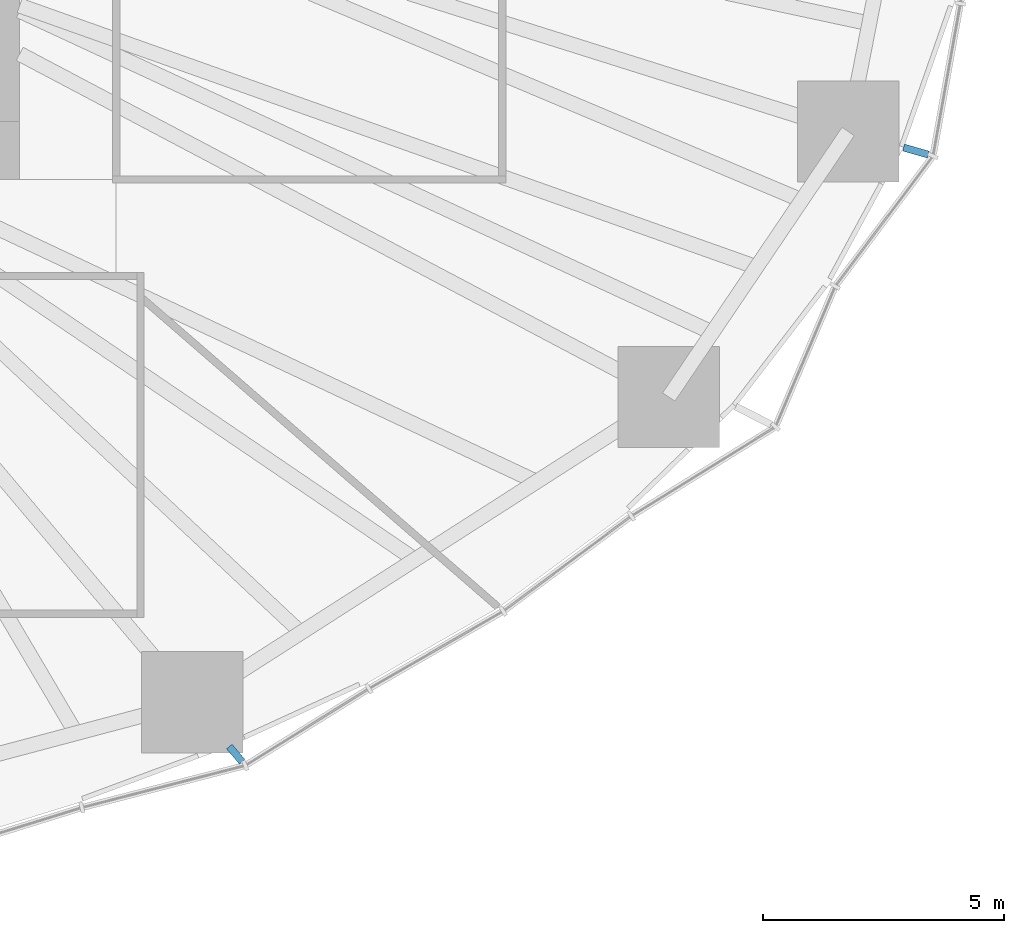
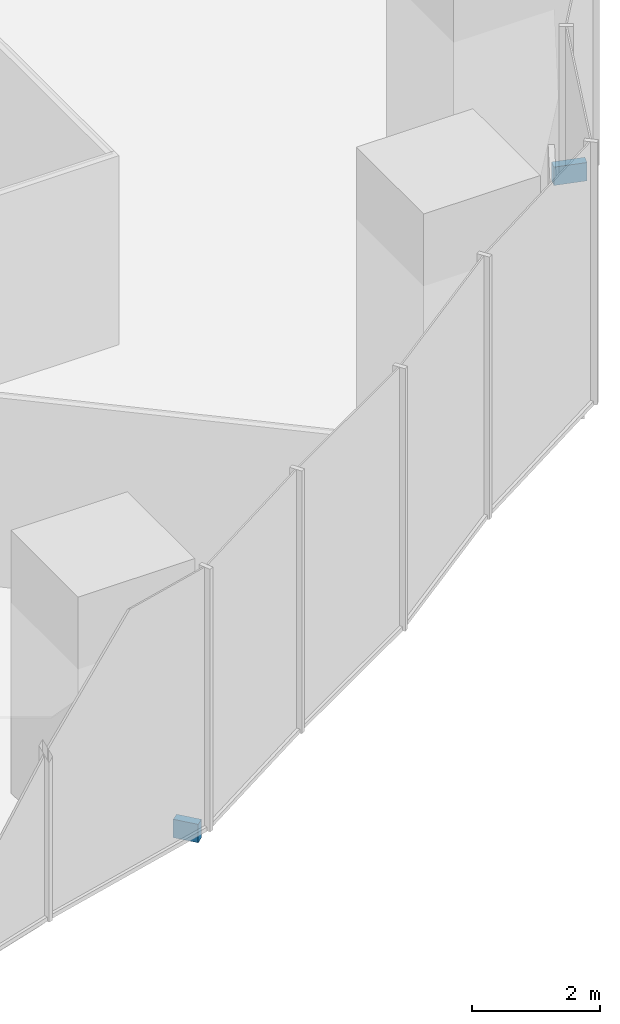
# One storey, part 14 of 20: 2 discrete accessories.
"""IFC4 building model written with IfcOpenShell, lengths in metres."""

from ifc_helpers import new_model, si_unit, direction, frame, origin, origin_2d, place, context, subcontext, project, spatial, rectangle, extrude, material, type_object, element, save


model = new_model("IFC4")

# Units and contexts
model_context = context("Model", 3, precision=1e-05, world=origin(), true_north=direction((0.0, 1.0)))
body_context = subcontext(model_context, "Body", "Model", "MODEL_VIEW")
ifc_project = project(units=[si_unit("LENGTHUNIT", "METRE"), si_unit("AREAUNIT", "SQUARE_METRE"), si_unit("VOLUMEUNIT", "CUBIC_METRE"), si_unit("PLANEANGLEUNIT", "RADIAN"), si_unit("MASSUNIT", "GRAM", prefix="KILO")], contexts=[model_context])

# Site, building, storey
site_placement = place(None, origin())
site = spatial("IfcSite", under=ifc_project, at=site_placement, CompositionType="ELEMENT")
building_placement = place(site_placement, origin())
building = spatial("IfcBuilding", under=site, at=building_placement, Name="Ghaith Harvest Tower", CompositionType="ELEMENT")
storey_placement = place(building_placement, frame((0.0, 0.0, 35.0)))
storey = spatial("IfcBuildingStorey", under=building, at=storey_placement, Name="L07", CompositionType="ELEMENT", Elevation=35.0)

# Discrete accessories
ifc_material_1 = material(Name="Stainless steel grade 1.4401", Category="steel")
discrete_accessory_type_1 = type_object("IfcDiscreteAccessoryType", Name="CURTAIN WALL BRACKET 415", PredefinedType="BRACKET", material=ifc_material_1)
discrete_accessory_1_placement = place(storey_placement, frame((18.475830078125, -21.90966796875, -0.25), z_axis=(0.0, 0.0, 1.0), x_axis=(0.644657240069, -0.764471741025, 0.0)))
element("IfcDiscreteAccessory", 1, at=discrete_accessory_1_placement, inside=storey, type_object=discrete_accessory_type_1, Name="CW-F bracket 1 bay 18 L07", PredefinedType="BRACKET", context=body_context, shape_type="SweptSolid", body=[
    extrude(rectangle(XDim=0.4150390625, YDim=0.14990234375, at=origin_2d()), origin(), (0.0, 0.0, 1.0), 0.35009765625),
])
ifc_material_2 = material(Name="Stainless steel grade 1.4401", Category="steel")
discrete_accessory_type_2 = type_object("IfcDiscreteAccessoryType", Name="CURTAIN WALL BRACKET 535", PredefinedType="BRACKET", material=ifc_material_2)
discrete_accessory_2_placement = place(storey_placement, frame((32.570556640625, -9.41357421875, -0.25), z_axis=(0.0, 0.0, 1.0), x_axis=(0.960680349932, -0.277656739976, 0.0)))
element("IfcDiscreteAccessory", 2, at=discrete_accessory_2_placement, inside=storey, type_object=discrete_accessory_type_2, Name="CW-F bracket 1 bay 20 L07", PredefinedType="BRACKET", context=body_context, shape_type="SweptSolid", body=[
    extrude(rectangle(XDim=0.534912109375, YDim=0.14990234375, at=origin_2d()), origin(), (0.0, 0.0, 1.0), 0.35009765625),
])

save(model, "model.ifc")
